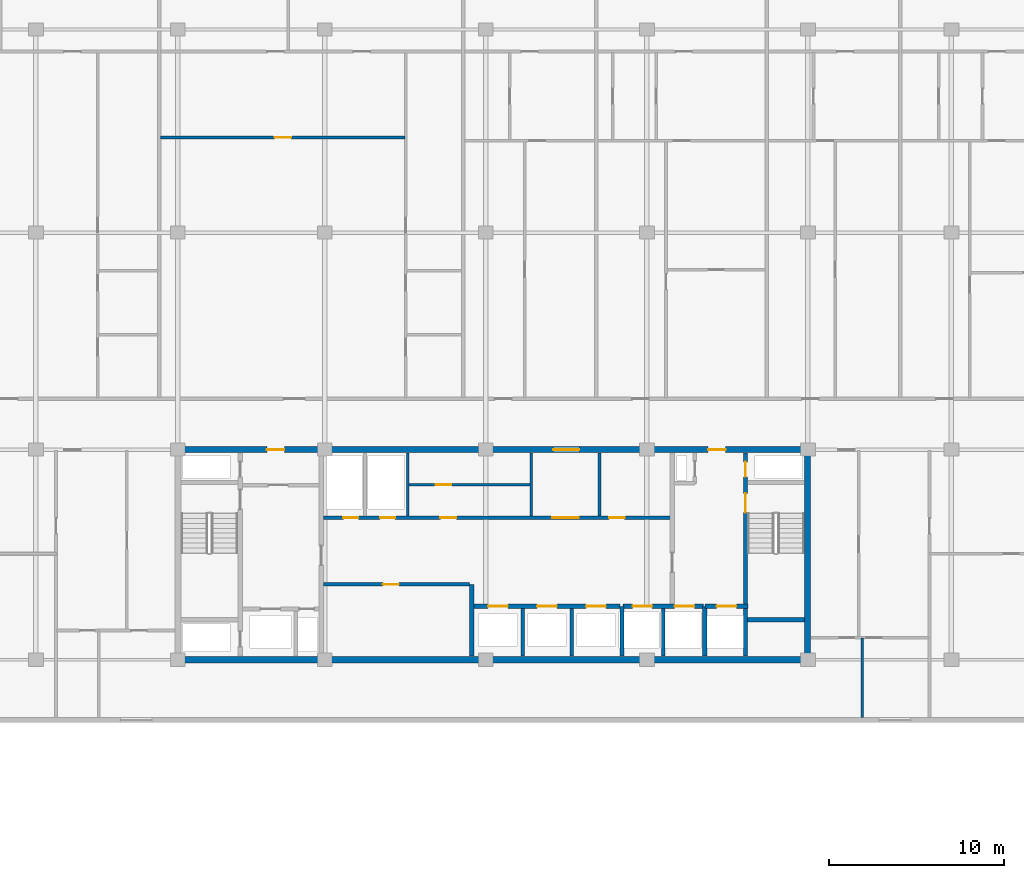
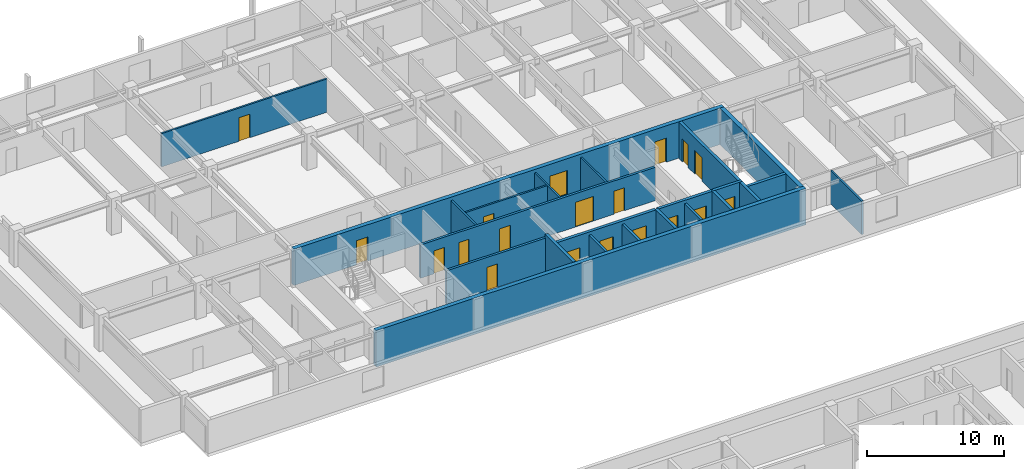
# One storey, part 11 of 21: 22 walls, 19 doors, 19 openings.
"""IFC4 building model written with IfcOpenShell, lengths in metres."""

import ifcopenshell
import ifcopenshell.guid

model = None  # the IFC model being written
_history = None  # IfcOwnerHistory: only IFC2X3 demands one
_inside = {}  # id of a spatial element -> (the spatial element, [elements in it])
_under = {}  # id of a project, library or spatial element -> (it, [spatial elements below it])
_declared = {}  # id of a project -> (the project, [libraries it declares])
_typed = {}  # id of a type object -> (the type object, [elements of that type])
_made_of = {}  # id of a material, layer set ... -> (it, [elements and type objects made of it])


def new_model(schema):
    """Start an empty IFC model of exactly this schema.

    Asked for "IFC4X3", IfcOpenShell would pick the latest addendum, in which some entities
    have other attributes; the version numbers below select the first issue.
    IFC2X3 requires an IfcOwnerHistory on every rooted entity: one is made here for all.
    """
    global model, _history
    if schema == "IFC4X3":
        model = ifcopenshell.file(schema_version=(4, 3, 0, 0))
    else:
        model = ifcopenshell.file(schema=schema)
    _inside.clear()
    _under.clear()
    _declared.clear()
    _typed.clear()
    _made_of.clear()
    _history = None
    if model.schema == "IFC2X3":
        org = make("IfcOrganization", Name="unknown")
        user = make(
            "IfcPersonAndOrganization",
            ThePerson=make("IfcPerson", FamilyName="unknown"),
            TheOrganization=org,
        )
        app = make(
            "IfcApplication",
            ApplicationDeveloper=org,
            Version="unknown",
            ApplicationFullName="unknown",
            ApplicationIdentifier="unknown",
        )
        _history = make(
            "IfcOwnerHistory",
            OwningUser=user,
            OwningApplication=app,
            ChangeAction="ADDED",
            CreationDate=0,
        )
    return model


def make(cls, **values):
    """One entity of the class cls with the attributes given. An attribute that is None is left unset."""
    return model.create_entity(
        cls, **{name: value for name, value in values.items() if value is not None}
    )


def rooted(cls, **values):
    """An entity with a GlobalId (a new one), such as an element, a storey or a relation."""
    return make(cls, GlobalId=ifcopenshell.guid.new(), OwnerHistory=_history, **values)


def si_unit(unit_type, name, prefix=None):
    """IfcSIUnit, for example si_unit("LENGTHUNIT", "METRE", prefix="MILLI")."""
    return make("IfcSIUnit", UnitType=unit_type, Prefix=prefix, Name=name)


def assignment(units):
    """IfcUnitAssignment: the units of a project."""
    return None if units is None else make("IfcUnitAssignment", Units=units)


def point(xyz):
    """IfcCartesianPoint."""
    return None if xyz is None else make("IfcCartesianPoint", Coordinates=xyz)


def direction(xyz):
    """IfcDirection."""
    return None if xyz is None else make("IfcDirection", DirectionRatios=xyz)


def frame(location, z_axis=None, x_axis=None):
    """IfcAxis2Placement3D, a coordinate frame: its origin and axes. An axis left out is left unset."""
    return make(
        "IfcAxis2Placement3D",
        Location=point(location),
        Axis=direction(z_axis),
        RefDirection=direction(x_axis),
    )


def frame_2d(location, x_axis=None):
    """IfcAxis2Placement2D, a coordinate frame in the plane: its origin and x axis."""
    return make(
        "IfcAxis2Placement2D", Location=point(location), RefDirection=direction(x_axis)
    )


def origin():
    """The frame at (0, 0, 0) with its axes left unset."""
    return frame((0.0, 0.0, 0.0))


def place(relative_to, where):
    """IfcLocalPlacement: puts the frame where relative to a parent placement (None: the world)."""
    return make(
        "IfcLocalPlacement", PlacementRelTo=relative_to, RelativePlacement=where
    )


def context(
    kind, dimensions, precision=None, world=None, true_north=None, identifier=None
):
    """IfcGeometricRepresentationContext, for example the 3D "Model" context."""
    return make(
        "IfcGeometricRepresentationContext",
        ContextIdentifier=identifier,
        ContextType=kind,
        CoordinateSpaceDimension=dimensions,
        Precision=precision,
        WorldCoordinateSystem=world,
        TrueNorth=true_north,
    )


def subcontext(parent, identifier, kind, view, scale=None):
    """IfcGeometricRepresentationSubContext, for example "Body" below "Model"."""
    return make(
        "IfcGeometricRepresentationSubContext",
        ContextIdentifier=identifier,
        ContextType=kind,
        ParentContext=parent,
        TargetScale=scale,
        TargetView=view,
    )


def project(units=None, contexts=None):
    """IfcProject with its units and contexts."""
    return rooted(
        "IfcProject",
        Name="project",
        RepresentationContexts=contexts,
        UnitsInContext=assignment(units),
    )


def spatial(cls, under=None, at=None, **own):
    """A site, building, storey or space (cls), placed at a placement, below another one or the project."""
    s = rooted(cls, ObjectPlacement=at, **own)
    if under is not None:
        _under.setdefault(under.id(), (under, []))[1].append(s)
    return s


def profile(cls, at=None, kind="AREA", **sizes):
    """A parametric profile (cls). Its sizes go by their IFC names, for example OverallWidth=200.0."""
    return make(cls, ProfileType=kind, Position=at, **sizes)


def rectangle(**sizes):
    """IfcRectangleProfileDef."""
    return profile("IfcRectangleProfileDef", **sizes)


def extrude(swept, where, along, depth):
    """IfcExtrudedAreaSolid: the profile swept, set in the frame where, extruded along a direction by depth."""
    return make(
        "IfcExtrudedAreaSolid",
        SweptArea=swept,
        Position=where,
        ExtrudedDirection=direction(along),
        Depth=depth,
    )


def shape(context_of_items, identifier, shape_type, items):
    """IfcShapeRepresentation: the items that make up one representation, for example the "Body"."""
    return make(
        "IfcShapeRepresentation",
        ContextOfItems=context_of_items,
        RepresentationIdentifier=identifier,
        RepresentationType=shape_type,
        Items=items,
    )


def material(Name=None, Category=None):
    """IfcMaterial."""
    return make("IfcMaterial", Name=Name, Category=Category)


def layer(
    of_material, thickness, ventilated=None, Name=None, Category=None, Priority=None
):
    """IfcMaterialLayer: one layer of a wall or slab, of a material (None: an air gap)."""
    return make(
        "IfcMaterialLayer",
        Material=of_material,
        LayerThickness=thickness,
        IsVentilated=ventilated,
        Name=Name,
        Category=Category,
        Priority=Priority,
    )


def layer_set(layers, Name=None):
    """IfcMaterialLayerSet."""
    return make("IfcMaterialLayerSet", MaterialLayers=layers, LayerSetName=Name)


def made_of(thing, what):
    """Note that an element or type object is made of a material, layer set ...; save() writes the relation."""
    if what is not None:
        _made_of.setdefault(what.id(), (what, []))[1].append(thing)
    return thing


def type_object(cls, material=None, **own):
    """A type object (cls), such as IfcWallType, which elements share."""
    return made_of(rooted(cls, **own), material)


def element(
    cls,
    number,
    at=None,
    inside=None,
    cuts=None,
    type_object=None,
    material=None,
    context=None,
    identifier="Body",
    shape_type=None,
    held_by="IfcProductDefinitionShape",
    body=None,
    shapes=None,
    **own,
):
    """One element of the class cls, such as IfcWall. Its Tag is "e" and its number.

    at: its placement. inside: the storey or other place that contains it. cuts: it is an
    opening in that element (IfcRelVoidsElement). A single representation is given by context,
    identifier, shape_type and body (its items); several are given by shapes. held_by: the class
    of the entity that holds the representations. save() writes the other relations.
    """
    e = rooted(cls, Tag="e%d" % number, ObjectPlacement=at, **own)
    if body is not None:
        shapes = [shape(context, identifier, shape_type, body)]
    if shapes is not None:
        e.Representation = make(held_by, Representations=shapes)
    if inside is not None:
        _inside.setdefault(inside.id(), (inside, []))[1].append(e)
    if cuts is not None:
        rooted(
            "IfcRelVoidsElement", RelatingBuildingElement=cuts, RelatedOpeningElement=e
        )
    if type_object is not None:
        _typed.setdefault(type_object.id(), (type_object, []))[1].append(e)
    return made_of(e, material)


def fill(opening, filler):
    """IfcRelFillsElement: the door or window that sits in an opening."""
    return rooted(
        "IfcRelFillsElement",
        RelatingOpeningElement=opening,
        RelatedBuildingElement=filler,
    )


def aggregate(whole, parts):
    """IfcRelAggregates: a whole, such as a stair, and the parts it consists of."""
    return rooted("IfcRelAggregates", RelatingObject=whole, RelatedObjects=parts)


def save(model, path):
    """Write the relations noted so far, then the file.

    IfcRelAggregates (storeys below a building ...), IfcRelContainedInSpatialStructure (elements
    in a storey), IfcRelDefinesByType, IfcRelAssociatesMaterial and IfcRelDeclares: one each for
    every whole, place, type object, material and project.
    """
    for whole, parts in _under.values():
        aggregate(whole, parts)
    for where, things in _inside.values():
        rooted(
            "IfcRelContainedInSpatialStructure",
            RelatedElements=things,
            RelatingStructure=where,
        )
    for kind, things in _typed.values():
        rooted("IfcRelDefinesByType", RelatedObjects=things, RelatingType=kind)
    for what, things in _made_of.values():
        rooted("IfcRelAssociatesMaterial", RelatedObjects=things, RelatingMaterial=what)
    for by, libraries in _declared.values():
        rooted("IfcRelDeclares", RelatingContext=by, RelatedDefinitions=libraries)
    model.write(path)


model = new_model("IFC4")

# Units and contexts
model_context = context("Model", 3, precision=1e-05, world=origin(), true_north=direction((0.0, 1.0)))
body_context = subcontext(model_context, "Body", "Model", "MODEL_VIEW")
ifc_project = project(units=[si_unit("LENGTHUNIT", "METRE"), si_unit("AREAUNIT", "SQUARE_METRE"), si_unit("VOLUMEUNIT", "CUBIC_METRE"), si_unit("PLANEANGLEUNIT", "RADIAN"), si_unit("MASSUNIT", "GRAM", prefix="KILO")], contexts=[model_context])

# Site, building, storey
site_placement = place(None, origin())
site = spatial("IfcSite", under=ifc_project, at=site_placement, CompositionType="ELEMENT")
building_placement = place(site_placement, origin())
building = spatial("IfcBuilding", under=site, at=building_placement, Name="Korimba Cascade Residences", CompositionType="ELEMENT")
storey_placement = place(building_placement, frame((0.0, 0.0, 175.10009765625)))
storey = spatial("IfcBuildingStorey", under=building, at=storey_placement, Name="L50", CompositionType="ELEMENT", Elevation=175.10009765625)

# Walls
ifc_material_1 = material(Name="Concrete C65/80", Category="concrete")
ifc_layer_1 = layer(ifc_material_1, 0.35009765625)
ifc_layer_set_1 = layer_set([ifc_layer_1], Name="Concrete C65/80")
wall_type_1 = type_object("IfcWallType", Name="WAL-CORE-350", PredefinedType="SHEAR", material=ifc_layer_set_1)
wall_1_placement = place(storey_placement, frame((75.949951171875, 55.199951171875, 0.0), z_axis=(0.0, 0.0, 1.0), x_axis=(1.0, 0.0, 0.0)))
element("IfcWall", 1, at=wall_1_placement, inside=storey, type_object=wall_type_1, Name="L50 Core Shear Wall CW-L50-T1-S", PredefinedType="SHEAR", context=body_context, shape_type="SweptSolid", body=[
    extrude(rectangle(XDim=36.300048828125, YDim=0.35009765625, at=frame_2d((18.14990234375, 0.0))), origin(), (0.0, 0.0, 1.0), 3.25),
])
wall_2_placement = place(storey_placement, frame((112.074951171875, 55.375, 0.0), z_axis=(0.0, 0.0, 1.0), x_axis=(0.0, 1.0, 0.0)))
element("IfcWall", 2, at=wall_2_placement, inside=storey, type_object=wall_type_1, Name="L50 Core Shear Wall CW-L50-T1-E", PredefinedType="SHEAR", context=body_context, shape_type="SweptSolid", body=[
    extrude(rectangle(XDim=11.64990234375, YDim=0.35009765625, at=frame_2d((5.824951171875, 0.0))), origin(), (0.0, 0.0, 1.0), 3.25),
])

# Wall, openings, doors
wall_3_placement = place(storey_placement, frame((75.949951171875, 67.199951171875, 0.0), z_axis=(0.0, 0.0, 1.0), x_axis=(1.0, 0.0, 0.0)))
wall_3 = element("IfcWall", 3, at=wall_3_placement, inside=storey, type_object=wall_type_1, Name="L50 Core Shear Wall CW-L50-T1-N", PredefinedType="SHEAR", context=body_context, shape_type="SweptSolid", body=[
    extrude(rectangle(XDim=36.300048828125, YDim=0.35009765625, at=frame_2d((18.14990234375, 0.0))), origin(), (0.0, 0.0, 1.0), 3.25),
])
opening_1_placement = place(wall_3_placement, frame((5.25, 0.0, 0.0)))
opening_1 = element("IfcOpeningElement", 4, at=opening_1_placement, cuts=wall_3, Name="Opening D-FD5", PredefinedType="OPENING", context=body_context, shape_type="SweptSolid", body=[
    extrude(rectangle(XDim=1.0, YDim=2.14990234375, at=frame_2d((0.5, 1.074951171875))), frame((0.0, 0.18505859375, 0.0), z_axis=(0.0, -1.0, 0.0), x_axis=(1.0, 0.0, 0.0)), (0.0, 0.0, 1.0), 0.3701171875),
])
opening_2_placement = place(wall_3_placement, frame((21.60009765625, 0.0, 0.0)))
opening_2 = element("IfcOpeningElement", 5, at=opening_2_placement, cuts=wall_3, Name="Opening D-FD8", PredefinedType="OPENING", context=body_context, shape_type="SweptSolid", body=[
    extrude(rectangle(XDim=1.5, YDim=2.199951171875, at=frame_2d((0.75, 1.10009765625))), frame((0.0, 0.18505859375, 0.0), z_axis=(0.0, -1.0, 0.0), x_axis=(1.0, 0.0, 0.0)), (0.0, 0.0, 1.0), 0.3701171875),
])
opening_3_placement = place(wall_3_placement, frame((30.449951171875, 0.0, 0.0)))
opening_3 = element("IfcOpeningElement", 6, at=opening_3_placement, cuts=wall_3, Name="Opening D-FD5", PredefinedType="OPENING", context=body_context, shape_type="SweptSolid", body=[
    extrude(rectangle(XDim=1.0, YDim=2.14990234375, at=frame_2d((0.5, 1.074951171875))), frame((0.0, 0.18505859375, 0.0), z_axis=(0.0, -1.0, 0.0), x_axis=(1.0, 0.0, 0.0)), (0.0, 0.0, 1.0), 0.3701171875),
])
ifc_material_2 = material(Name="Fire-Rated Acoustic Timber Vestibule Door", Category="wood")
door_type_1 = type_object("IfcDoorType", Name="DR-FD90-1000", OperationType="NOTDEFINED", PredefinedType="DOOR", material=ifc_material_2)
door_1_placement = place(opening_1_placement, origin())
door_1 = element("IfcDoor", 7, at=door_1_placement, inside=storey, type_object=door_type_1, Name="L50 T1 West Core Vestibule Fire Door", OperationType="SINGLE_SWING_LEFT", OverallHeight=2.14990234375, OverallWidth=1.0, PredefinedType="DOOR", context=body_context, shape_type="SweptSolid", body=[
    extrude(rectangle(XDim=1.0, YDim=2.14990234375, at=frame_2d((0.5, 1.074951171875))), frame((0.0, 0.02490234375, 0.0), z_axis=(0.0, -1.0, 0.0), x_axis=(1.0, 0.0, 0.0)), (0.0, 0.0, 1.0), 0.050048828125),
])
fill(opening_1, door_1)
door_2_placement = place(opening_3_placement, origin())
door_2 = element("IfcDoor", 8, at=door_2_placement, inside=storey, type_object=door_type_1, Name="L50 T1 East Firefighting Vestibule Fire Door", OperationType="SINGLE_SWING_RIGHT", OverallHeight=2.14990234375, OverallWidth=1.0, PredefinedType="DOOR", context=body_context, shape_type="SweptSolid", body=[
    extrude(rectangle(XDim=1.0, YDim=2.14990234375, at=frame_2d((0.5, 1.074951171875))), frame((0.0, 0.02490234375, 0.0), z_axis=(0.0, -1.0, 0.0), x_axis=(1.0, 0.0, 0.0)), (0.0, 0.0, 1.0), 0.050048828125),
])
fill(opening_3, door_2)
ifc_material_3 = material(Name="Fire-Rated Glazed Lift Lobby Double Door", Category="glass")
door_type_2 = type_object("IfcDoorType", Name="DR-FD90-1500", OperationType="NOTDEFINED", PredefinedType="DOOR", material=ifc_material_3)
door_3_placement = place(opening_2_placement, origin())
door_3 = element("IfcDoor", 9, at=door_3_placement, inside=storey, type_object=door_type_2, Name="L50 T1 Lift Lobby Fire Door", OperationType="DOUBLE_DOOR_SINGLE_SWING", OverallHeight=2.199951171875, OverallWidth=1.5, PredefinedType="DOOR", context=body_context, shape_type="SweptSolid", body=[
    extrude(rectangle(XDim=1.5, YDim=2.199951171875, at=frame_2d((0.75, 1.10009765625))), frame((0.0, 0.02490234375, 0.0), z_axis=(0.0, -1.0, 0.0), x_axis=(1.0, 0.0, 0.0)), (0.0, 0.0, 1.0), 0.050048828125),
])
fill(opening_2, door_3)

# Wall
ifc_material_4 = material(Name="Insulated Acoustic Stud Partition", Category="gypsum")
ifc_layer_2 = layer(ifc_material_4, 0.14990234375)
ifc_layer_set_2 = layer_set([ifc_layer_2], Name="Insulated Acoustic Stud Partition")
wall_type_2 = type_object("IfcWallType", Name="WAL-PART-150", PredefinedType="PARTITIONING", material=ifc_layer_set_2)
wall_4_placement = place(storey_placement, frame((89.25, 63.39990234375, 0.0), z_axis=(0.0, 0.0, 1.0), x_axis=(0.0, 1.0, 0.0)))
element("IfcWall", 10, at=wall_4_placement, inside=storey, type_object=wall_type_2, Name="L50 Partition Wall CW-L50-T1-PRDIV", PredefinedType="PARTITIONING", context=body_context, shape_type="SweptSolid", body=[
    extrude(rectangle(XDim=3.60009765625, YDim=0.14990234375, at=frame_2d((1.800048828125, 0.0))), origin(), (0.0, 0.0, 1.0), 2.969970703125),
])

# Wall, opening, door
wall_5_placement = place(storey_placement, frame((89.25, 65.199951171875, 0.0), z_axis=(0.0, 0.0, 1.0), x_axis=(1.0, 0.0, 0.0)))
wall_5 = element("IfcWall", 11, at=wall_5_placement, inside=storey, type_object=wall_type_2, Name="L50 Partition Wall CW-L50-T1-CA2HZ", PredefinedType="PARTITIONING", context=body_context, shape_type="SweptSolid", body=[
    extrude(rectangle(XDim=7.050048828125, YDim=0.14990234375, at=frame_2d((3.52490234375, 0.0))), origin(), (0.0, 0.0, 1.0), 2.969970703125),
])
opening_4_placement = place(wall_5_placement, frame((1.60009765625, 0.0, 0.0)))
opening_4 = element("IfcOpeningElement", 12, at=opening_4_placement, cuts=wall_5, Name="Opening D-IN2", PredefinedType="OPENING", context=body_context, shape_type="SweptSolid", body=[
    extrude(rectangle(XDim=0.8798828125, YDim=2.06005859375, at=frame_2d((0.43994140625, 1.030029296875))), frame((0.0, 0.0849609375, 0.0), z_axis=(0.0, -1.0, 0.0), x_axis=(1.0, 0.0, 0.0)), (0.0, 0.0, 1.0), 0.169921875),
])
ifc_material_5 = material(Name="Acoustic Timber Bedroom Door", Category="wood")
door_type_3 = type_object("IfcDoorType", Name="DR-INT-880", OperationType="NOTDEFINED", PredefinedType="DOOR", material=ifc_material_5)
door_4_placement = place(opening_4_placement, origin())
door_4 = element("IfcDoor", 13, at=door_4_placement, inside=storey, type_object=door_type_3, Name="L50 Pram Store Door", OperationType="SINGLE_SWING_RIGHT", OverallHeight=2.06005859375, OverallWidth=0.8798828125, PredefinedType="DOOR", context=body_context, shape_type="SweptSolid", body=[
    extrude(rectangle(XDim=0.8798828125, YDim=2.06005859375, at=frame_2d((0.43994140625, 1.030029296875))), frame((0.0, 0.02490234375, 0.0), z_axis=(0.0, -1.0, 0.0), x_axis=(1.0, 0.0, 0.0)), (0.0, 0.0, 1.0), 0.050048828125),
])
fill(opening_4, door_4)

# Walls
for number, where, z_axis, x_axis, name in (
    (14, (96.300048828125, 63.39990234375, 0.0), (0.0, 0.0, 1.0), (0.0, 1.0, 0.0), "L50 Partition Wall CW-L50-T1-THW"),
    (15, (100.199951171875, 63.39990234375, 0.0), (0.0, 0.0, 1.0), (0.0, 1.0, 0.0), "L50 Partition Wall CW-L50-T1-THE"),
):
    element("IfcWall", number, at=place(storey_placement, frame(where, z_axis=z_axis, x_axis=x_axis)), inside=storey, type_object=wall_type_2, Name=name, PredefinedType="PARTITIONING", context=body_context, shape_type="SweptSolid", body=[
        extrude(rectangle(XDim=3.60009765625, YDim=0.14990234375, at=frame_2d((1.800048828125, 0.0))), origin(), (0.0, 0.0, 1.0), 2.969970703125),
    ])
wall_6_placement = place(storey_placement, frame((115.199951171875, 51.89990234375, 0.0), z_axis=(0.0, 0.0, 1.0), x_axis=(0.0, 1.0, 0.0)))
element("IfcWall", 16, at=wall_6_placement, inside=storey, type_object=wall_type_2, Name="L50 Partition Wall WAL-L50-T1-FE-VS", PredefinedType="PARTITIONING", context=body_context, shape_type="SweptSolid", body=[
    extrude(rectangle(XDim=4.550048828125, YDim=0.14990234375, at=frame_2d((2.27490234375, 0.0))), origin(), (0.0, 0.0, 1.0), 2.969970703125),
])

# Wall, opening, door
wall_7_placement = place(storey_placement, frame((75.121337890625, 85.030029296875, 0.0), z_axis=(0.0, 0.0, 1.0), x_axis=(1.0, 0.0, 0.0)))
wall_7 = element("IfcWall", 17, at=wall_7_placement, inside=storey, type_object=wall_type_2, Name="L50 Partition Wall WAL-L50-T1-U02-CARH", PredefinedType="PARTITIONING", context=body_context, shape_type="SweptSolid", body=[
    extrude(rectangle(XDim=13.973388671875, YDim=0.14990234375, at=frame_2d((6.98681640625, 0.0))), origin(), (0.0, 0.0, 1.0), 2.969970703125),
])
opening_5_placement = place(wall_7_placement, frame((6.5166015625, 0.0, 0.0)))
opening_5 = element("IfcOpeningElement", 18, at=opening_5_placement, cuts=wall_7, Name="Opening D-IN0", PredefinedType="OPENING", context=body_context, shape_type="SweptSolid", body=[
    extrude(rectangle(XDim=0.93994140625, YDim=2.10009765625, at=frame_2d((0.469970703125, 1.050048828125))), frame((0.0, 0.0849609375, 0.0), z_axis=(0.0, -1.0, 0.0), x_axis=(1.0, 0.0, 0.0)), (0.0, 0.0, 1.0), 0.169921875),
])
ifc_material_6 = material(Name="Acoustic Timber Living Archway Door", Category="wood")
door_type_4 = type_object("IfcDoorType", Name="DR-INT-950", OperationType="NOTDEFINED", PredefinedType="DOOR", material=ifc_material_6)
door_5_placement = place(opening_5_placement, origin())
door_5 = element("IfcDoor", 19, at=door_5_placement, inside=storey, type_object=door_type_4, Name="L50-T1-U02 Wellness Clinic Foyer Door", OperationType="SINGLE_SWING_RIGHT", OverallHeight=2.10009765625, OverallWidth=0.93994140625, PredefinedType="DOOR", context=body_context, shape_type="SweptSolid", body=[
    extrude(rectangle(XDim=0.93994140625, YDim=2.10009765625, at=frame_2d((0.469970703125, 1.050048828125))), frame((0.0, 0.02490234375, 0.0), z_axis=(0.0, -1.0, 0.0), x_axis=(1.0, 0.0, 0.0)), (0.0, 0.0, 1.0), 0.050048828125),
])
fill(opening_5, door_5)

ifc_material_7 = material(Name="Concrete C40/50", Category="concrete")
ifc_layer_3 = layer(ifc_material_7, 0.199951171875)
ifc_layer_set_3 = layer_set([ifc_layer_3], Name="Concrete C40/50")
wall_type_3 = type_object("IfcWallType", Name="WAL-PART-200", PredefinedType="PARTITIONING", material=ifc_layer_set_3)
wall_8_placement = place(storey_placement, frame((84.419921875, 59.5, 0.0), z_axis=(0.0, 0.0, 1.0), x_axis=(1.0, 0.0, 0.0)))
wall_8 = element("IfcWall", 20, at=wall_8_placement, inside=storey, type_object=wall_type_3, Name="L50 Partition Wall CW-L50-T1-B1RN", PredefinedType="PARTITIONING", context=body_context, shape_type="SweptSolid", body=[
    extrude(rectangle(XDim=8.360107421875, YDim=0.199951171875, at=frame_2d((4.18017578125, 0.0))), origin(), (0.0, 0.0, 1.0), 2.969970703125),
])
opening_6_placement = place(wall_8_placement, frame((3.39990234375, 0.0, 0.0)))
opening_6 = element("IfcOpeningElement", 21, at=opening_6_placement, cuts=wall_8, Name="Opening D-ST1", PredefinedType="OPENING", context=body_context, shape_type="SweptSolid", body=[
    extrude(rectangle(XDim=0.919921875, YDim=2.080078125, at=frame_2d((0.4599609375, 1.0400390625))), frame((0.0, 0.10986328125, 0.0), z_axis=(0.0, -1.0, 0.0), x_axis=(1.0, 0.0, 0.0)), (0.0, 0.0, 1.0), 0.219970703125),
])
ifc_material_8 = material(Name="Fire-Rated Core Store Door", Category="wood")
door_type_5 = type_object("IfcDoorType", Name="DR-FD60-920", OperationType="NOTDEFINED", PredefinedType="DOOR", material=ifc_material_8)
door_6_placement = place(opening_6_placement, origin())
door_6 = element("IfcDoor", 22, at=door_6_placement, inside=storey, type_object=door_type_5, Name="L50 Resident Storage Door", OperationType="SINGLE_SWING_LEFT", OverallHeight=2.080078125, OverallWidth=0.919921875, PredefinedType="DOOR", context=body_context, shape_type="SweptSolid", body=[
    extrude(rectangle(XDim=0.919921875, YDim=2.080078125, at=frame_2d((0.4599609375, 1.0400390625))), frame((0.0, 0.02490234375, 0.0), z_axis=(0.0, -1.0, 0.0), x_axis=(1.0, 0.0, 0.0)), (0.0, 0.0, 1.0), 0.050048828125),
])
fill(opening_6, door_6)

# Walls
for number, where, z_axis, x_axis, name in (
    (23, (95.800048828125, 55.39990234375, 0.0), (0.0, 0.0, 1.0), (0.0, 1.0, 0.0), "L50 Partition Wall CW-L50-T1-B2D1"),
    (24, (98.60009765625, 55.39990234375, 0.0), (0.0, 0.0, 1.0), (0.0, 1.0, 0.0), "L50 Partition Wall CW-L50-T1-B2D2"),
    (25, (103.85009765625, 55.39990234375, 0.0), (0.0, 0.0, 1.0), (0.0, 1.0, 0.0), "L50 Partition Wall CW-L50-T1-B3D1"),
):
    element("IfcWall", number, at=place(storey_placement, frame(where, z_axis=z_axis, x_axis=x_axis)), inside=storey, type_object=wall_type_3, Name=name, PredefinedType="PARTITIONING", context=body_context, shape_type="SweptSolid", body=[
        extrude(rectangle(XDim=2.72021484375, YDim=0.199951171875, at=frame_2d((1.360107421875, 0.0))), origin(), (0.0, 0.0, 1.0), 2.969970703125),
    ])

# Wall, openings, doors
wall_9_placement = place(storey_placement, frame((84.419921875, 63.300048828125, 0.0), z_axis=(0.0, 0.0, 1.0), x_axis=(1.0, 0.0, 0.0)))
wall_9 = element("IfcWall", 26, at=wall_9_placement, inside=storey, type_object=wall_type_3, Name="L50 Partition Wall CW-L50-T1-SRVROW", PredefinedType="PARTITIONING", context=body_context, shape_type="SweptSolid", body=[
    extrude(rectangle(XDim=19.830078125, YDim=0.199951171875, at=frame_2d((9.9150390625, 0.0))), origin(), (0.0, 0.0, 1.0), 2.969970703125),
])
opening_7_placement = place(wall_9_placement, frame((1.14990234375, 0.0, 0.0)))
opening_7 = element("IfcOpeningElement", 27, at=opening_7_placement, cuts=wall_9, Name="Opening D-RS1", PredefinedType="OPENING", context=body_context, shape_type="SweptSolid", body=[
    extrude(rectangle(XDim=0.85009765625, YDim=2.050048828125, at=frame_2d((0.425048828125, 1.02490234375))), frame((0.0, 0.10986328125, 0.0), z_axis=(0.0, -1.0, 0.0), x_axis=(1.0, 0.0, 0.0)), (0.0, 0.0, 1.0), 0.219970703125),
])
opening_8_placement = place(wall_9_placement, frame((3.25, 0.0, 0.0)))
opening_8 = element("IfcOpeningElement", 28, at=opening_8_placement, cuts=wall_9, Name="Opening D-RS1", PredefinedType="OPENING", context=body_context, shape_type="SweptSolid", body=[
    extrude(rectangle(XDim=0.85009765625, YDim=2.050048828125, at=frame_2d((0.425048828125, 1.02490234375))), frame((0.0, 0.10986328125, 0.0), z_axis=(0.0, -1.0, 0.0), x_axis=(1.0, 0.0, 0.0)), (0.0, 0.0, 1.0), 0.219970703125),
])
opening_9_placement = place(wall_9_placement, frame((13.080078125, 0.0, 0.0)))
opening_9 = element("IfcOpeningElement", 29, at=opening_9_placement, cuts=wall_9, Name="Opening D-FD8", PredefinedType="OPENING", context=body_context, shape_type="SweptSolid", body=[
    extrude(rectangle(XDim=1.5, YDim=2.199951171875, at=frame_2d((0.75, 1.10009765625))), frame((0.0, 0.10986328125, 0.0), z_axis=(0.0, -1.0, 0.0), x_axis=(1.0, 0.0, 0.0)), (0.0, 0.0, 1.0), 0.219970703125),
])
opening_10_placement = place(wall_9_placement, frame((6.679931640625, 0.0, 0.0)))
opening_10 = element("IfcOpeningElement", 30, at=opening_10_placement, cuts=wall_9, Name="Opening D-IN1", PredefinedType="OPENING", context=body_context, shape_type="SweptSolid", body=[
    extrude(rectangle(XDim=0.919921875, YDim=2.080078125, at=frame_2d((0.4599609375, 1.0400390625))), frame((0.0, 0.10986328125, 0.0), z_axis=(0.0, -1.0, 0.0), x_axis=(1.0, 0.0, 0.0)), (0.0, 0.0, 1.0), 0.219970703125),
])
opening_11_placement = place(wall_9_placement, frame((16.330078125, 0.0, 0.0)))
opening_11 = element("IfcOpeningElement", 31, at=opening_11_placement, cuts=wall_9, Name="Opening D-IN2", PredefinedType="OPENING", context=body_context, shape_type="SweptSolid", body=[
    extrude(rectangle(XDim=0.8798828125, YDim=2.06005859375, at=frame_2d((0.43994140625, 1.030029296875))), frame((0.0, 0.10986328125, 0.0), z_axis=(0.0, -1.0, 0.0), x_axis=(1.0, 0.0, 0.0)), (0.0, 0.0, 1.0), 0.219970703125),
])
ifc_material_9 = material(Name="Fire-Rated Steel Riser Access Door", Category="steel")
door_type_6 = type_object("IfcDoorType", Name="DR-FD60-850", OperationType="NOTDEFINED", PredefinedType="DOOR", material=ifc_material_9)
door_7_placement = place(opening_7_placement, origin())
door_7 = element("IfcDoor", 32, at=door_7_placement, inside=storey, type_object=door_type_6, Name="L50 Electrical Riser Door", OperationType="SINGLE_SWING_LEFT", OverallHeight=2.050048828125, OverallWidth=0.85009765625, PredefinedType="DOOR", context=body_context, shape_type="SweptSolid", body=[
    extrude(rectangle(XDim=0.85009765625, YDim=2.050048828125, at=frame_2d((0.425048828125, 1.02490234375))), frame((0.0, 0.02490234375, 0.0), z_axis=(0.0, -1.0, 0.0), x_axis=(1.0, 0.0, 0.0)), (0.0, 0.0, 1.0), 0.050048828125),
])
fill(opening_7, door_7)
door_8_placement = place(opening_8_placement, origin())
door_8 = element("IfcDoor", 33, at=door_8_placement, inside=storey, type_object=door_type_6, Name="L50 Plumbing Riser Door", OperationType="SINGLE_SWING_RIGHT", OverallHeight=2.050048828125, OverallWidth=0.85009765625, PredefinedType="DOOR", context=body_context, shape_type="SweptSolid", body=[
    extrude(rectangle(XDim=0.85009765625, YDim=2.050048828125, at=frame_2d((0.425048828125, 1.02490234375))), frame((0.0, 0.02490234375, 0.0), z_axis=(0.0, -1.0, 0.0), x_axis=(1.0, 0.0, 0.0)), (0.0, 0.0, 1.0), 0.050048828125),
])
fill(opening_8, door_8)
door_9_placement = place(opening_9_placement, origin())
door_9 = element("IfcDoor", 34, at=door_9_placement, inside=storey, type_object=door_type_2, Name="L50 Lift Lobby Foyer Archway Door", OperationType="DOUBLE_DOOR_SINGLE_SWING", OverallHeight=2.199951171875, OverallWidth=1.5, PredefinedType="DOOR", context=body_context, shape_type="SweptSolid", body=[
    extrude(rectangle(XDim=1.5, YDim=2.199951171875, at=frame_2d((0.75, 1.10009765625))), frame((0.0, 0.02490234375, 0.0), z_axis=(0.0, -1.0, 0.0), x_axis=(1.0, 0.0, 0.0)), (0.0, 0.0, 1.0), 0.050048828125),
])
fill(opening_9, door_9)
door_10_placement = place(opening_11_placement, origin())
door_10 = element("IfcDoor", 35, at=door_10_placement, inside=storey, type_object=door_type_3, Name="L50 Staff WC Door", OperationType="SINGLE_SWING_RIGHT", OverallHeight=2.06005859375, OverallWidth=0.8798828125, PredefinedType="DOOR", context=body_context, shape_type="SweptSolid", body=[
    extrude(rectangle(XDim=0.8798828125, YDim=2.06005859375, at=frame_2d((0.43994140625, 1.030029296875))), frame((0.0, 0.02490234375, 0.0), z_axis=(0.0, -1.0, 0.0), x_axis=(1.0, 0.0, 0.0)), (0.0, 0.0, 1.0), 0.050048828125),
])
fill(opening_11, door_10)
ifc_material_10 = material(Name="Acoustic Timber Living Door", Category="wood")
door_type_7 = type_object("IfcDoorType", Name="DR-INT-920", OperationType="NOTDEFINED", PredefinedType="DOOR", material=ifc_material_10)
door_11_placement = place(opening_10_placement, origin())
door_11 = element("IfcDoor", 36, at=door_11_placement, inside=storey, type_object=door_type_7, Name="L50 Locker Room Door", OperationType="SINGLE_SWING_LEFT", OverallHeight=2.080078125, OverallWidth=0.919921875, PredefinedType="DOOR", context=body_context, shape_type="SweptSolid", body=[
    extrude(rectangle(XDim=0.919921875, YDim=2.080078125, at=frame_2d((0.4599609375, 1.0400390625))), frame((0.0, 0.02490234375, 0.0), z_axis=(0.0, -1.0, 0.0), x_axis=(1.0, 0.0, 0.0)), (0.0, 0.0, 1.0), 0.050048828125),
])
fill(opening_10, door_11)

# Wall
ifc_material_11 = material(Name="Concrete C50/60", Category="concrete")
ifc_layer_4 = layer(ifc_material_11, 0.25)
ifc_layer_set_4 = layer_set([ifc_layer_4], Name="Concrete C50/60")
wall_type_4 = type_object("IfcWallType", Name="WAL-SHAFT-250", PredefinedType="SHEAR", material=ifc_layer_set_4)
wall_10_placement = place(storey_placement, frame((92.89990234375, 55.39990234375, 0.0), z_axis=(0.0, 0.0, 1.0), x_axis=(0.0, 1.0, 0.0)))
element("IfcWall", 37, at=wall_10_placement, inside=storey, type_object=wall_type_4, Name="L50 Core Shear Wall CW-L50-T1-B12DIV", PredefinedType="SHEAR", context=body_context, shape_type="SweptSolid", body=[
    extrude(rectangle(XDim=4.10009765625, YDim=0.25, at=frame_2d((2.050048828125, 0.0))), origin(), (0.0, 0.0, 1.0), 3.25),
])

# Wall, openings, doors
wall_11_placement = place(storey_placement, frame((93.02001953125, 58.25, 0.0), z_axis=(0.0, 0.0, 1.0), x_axis=(1.0, 0.0, 0.0)))
wall_11 = element("IfcWall", 38, at=wall_11_placement, inside=storey, type_object=wall_type_4, Name="L50 Core Shear Wall CW-L50-T1-B2N", PredefinedType="SHEAR", context=body_context, shape_type="SweptSolid", body=[
    extrude(rectangle(XDim=8.35986328125, YDim=0.25, at=frame_2d((4.179931640625, 0.0))), origin(), (0.0, 0.0, 1.0), 3.25),
])
opening_12_placement = place(wall_11_placement, frame((0.820068359375, 0.0, 0.0)))
opening_12 = element("IfcOpeningElement", 39, at=opening_12_placement, cuts=wall_11, Name="Opening LD-01", PredefinedType="OPENING", context=body_context, shape_type="SweptSolid", body=[
    extrude(rectangle(XDim=1.1201171875, YDim=2.1201171875, at=frame_2d((0.56005859375, 1.06005859375))), frame((0.0, 0.135009765625, 0.0), z_axis=(0.0, -1.0, 0.0), x_axis=(1.0, 0.0, 0.0)), (0.0, 0.0, 1.0), 0.27001953125),
])
opening_13_placement = place(wall_11_placement, frame((3.6201171875, 0.0, 0.0)))
opening_13 = element("IfcOpeningElement", 40, at=opening_13_placement, cuts=wall_11, Name="Opening LD-01", PredefinedType="OPENING", context=body_context, shape_type="SweptSolid", body=[
    extrude(rectangle(XDim=1.1201171875, YDim=2.1201171875, at=frame_2d((0.56005859375, 1.06005859375))), frame((0.0, 0.135009765625, 0.0), z_axis=(0.0, -1.0, 0.0), x_axis=(1.0, 0.0, 0.0)), (0.0, 0.0, 1.0), 0.27001953125),
])
opening_14_placement = place(wall_11_placement, frame((6.419921875, 0.0, 0.0)))
opening_14 = element("IfcOpeningElement", 41, at=opening_14_placement, cuts=wall_11, Name="Opening LD-01", PredefinedType="OPENING", context=body_context, shape_type="SweptSolid", body=[
    extrude(rectangle(XDim=1.1201171875, YDim=2.1201171875, at=frame_2d((0.56005859375, 1.06005859375))), frame((0.0, 0.135009765625, 0.0), z_axis=(0.0, -1.0, 0.0), x_axis=(1.0, 0.0, 0.0)), (0.0, 0.0, 1.0), 0.27001953125),
])
ifc_material_12 = material(Name="Stainless Steel Lift Landing Sliding Door", Category="steel")
door_type_8 = type_object("IfcDoorType", Name="DR-LIFT-1100", OperationType="NOTDEFINED", PredefinedType="DOOR", material=ifc_material_12)
door_12_placement = place(opening_12_placement, origin())
door_12 = element("IfcDoor", 42, at=door_12_placement, inside=storey, type_object=door_type_8, Name="L50 Lift Landing Door PL-W4", OperationType="SLIDING_TO_RIGHT", OverallHeight=2.1201171875, OverallWidth=1.1201171875, PredefinedType="DOOR", context=body_context, shape_type="SweptSolid", body=[
    extrude(rectangle(XDim=1.1201171875, YDim=2.1201171875, at=frame_2d((0.56005859375, 1.06005859375))), frame((0.0, 0.02490234375, 0.0), z_axis=(0.0, -1.0, 0.0), x_axis=(1.0, 0.0, 0.0)), (0.0, 0.0, 1.0), 0.050048828125),
])
fill(opening_12, door_12)
door_13_placement = place(opening_13_placement, origin())
door_13 = element("IfcDoor", 43, at=door_13_placement, inside=storey, type_object=door_type_8, Name="L50 Lift Landing Door PL-W5", OperationType="SLIDING_TO_RIGHT", OverallHeight=2.1201171875, OverallWidth=1.1201171875, PredefinedType="DOOR", context=body_context, shape_type="SweptSolid", body=[
    extrude(rectangle(XDim=1.1201171875, YDim=2.1201171875, at=frame_2d((0.56005859375, 1.06005859375))), frame((0.0, 0.02490234375, 0.0), z_axis=(0.0, -1.0, 0.0), x_axis=(1.0, 0.0, 0.0)), (0.0, 0.0, 1.0), 0.050048828125),
])
fill(opening_13, door_13)
door_14_placement = place(opening_14_placement, origin())
door_14 = element("IfcDoor", 44, at=door_14_placement, inside=storey, type_object=door_type_8, Name="L50 Lift Landing Door PL-W6", OperationType="SLIDING_TO_RIGHT", OverallHeight=2.1201171875, OverallWidth=1.1201171875, PredefinedType="DOOR", context=body_context, shape_type="SweptSolid", body=[
    extrude(rectangle(XDim=1.1201171875, YDim=2.1201171875, at=frame_2d((0.56005859375, 1.06005859375))), frame((0.0, 0.02490234375, 0.0), z_axis=(0.0, -1.0, 0.0), x_axis=(1.0, 0.0, 0.0)), (0.0, 0.0, 1.0), 0.050048828125),
])
fill(opening_14, door_14)

# Wall
wall_12_placement = place(storey_placement, frame((101.47998046875, 55.39990234375, 0.0), z_axis=(0.0, 0.0, 1.0), x_axis=(0.0, 1.0, 0.0)))
element("IfcWall", 45, at=wall_12_placement, inside=storey, type_object=wall_type_4, Name="L50 Core Shear Wall CW-L50-T1-B23DIV", PredefinedType="SHEAR", context=body_context, shape_type="SweptSolid", body=[
    extrude(rectangle(XDim=2.85009765625, YDim=0.25, at=frame_2d((1.425048828125, 0.0))), origin(), (0.0, 0.0, 1.0), 3.25),
])

# Wall, openings, doors
wall_13_placement = place(storey_placement, frame((101.550048828125, 58.25, 0.0), z_axis=(0.0, 0.0, 1.0), x_axis=(1.0, 0.0, 0.0)))
wall_13 = element("IfcWall", 46, at=wall_13_placement, inside=storey, type_object=wall_type_4, Name="L50 Core Shear Wall CW-L50-T1-B3N", PredefinedType="SHEAR", context=body_context, shape_type="SweptSolid", body=[
    extrude(rectangle(XDim=4.599853515625, YDim=0.25, at=frame_2d((2.2998046875, 0.0))), origin(), (0.0, 0.0, 1.0), 3.25),
])
opening_15_placement = place(wall_13_placement, frame((0.5400390625, 0.0, 0.0)))
opening_15 = element("IfcOpeningElement", 47, at=opening_15_placement, cuts=wall_13, Name="Opening LD-01", PredefinedType="OPENING", context=body_context, shape_type="SweptSolid", body=[
    extrude(rectangle(XDim=1.1201171875, YDim=2.1201171875, at=frame_2d((0.56005859375, 1.06005859375))), frame((0.0, 0.135009765625, 0.0), z_axis=(0.0, -1.0, 0.0), x_axis=(1.0, 0.0, 0.0)), (0.0, 0.0, 1.0), 0.27001953125),
])
opening_16_placement = place(wall_13_placement, frame((2.93994140625, 0.0, 0.0)))
opening_16 = element("IfcOpeningElement", 48, at=opening_16_placement, cuts=wall_13, Name="Opening LD-01", PredefinedType="OPENING", context=body_context, shape_type="SweptSolid", body=[
    extrude(rectangle(XDim=1.1201171875, YDim=2.1201171875, at=frame_2d((0.56005859375, 1.06005859375))), frame((0.0, 0.135009765625, 0.0), z_axis=(0.0, -1.0, 0.0), x_axis=(1.0, 0.0, 0.0)), (0.0, 0.0, 1.0), 0.27001953125),
])
door_15_placement = place(opening_15_placement, origin())
door_15 = element("IfcDoor", 49, at=door_15_placement, inside=storey, type_object=door_type_8, Name="L50 Lift Landing Door PL-W7", OperationType="SLIDING_TO_LEFT", OverallHeight=2.1201171875, OverallWidth=1.1201171875, PredefinedType="DOOR", context=body_context, shape_type="SweptSolid", body=[
    extrude(rectangle(XDim=1.1201171875, YDim=2.1201171875, at=frame_2d((0.56005859375, 1.06005859375))), frame((0.0, 0.02490234375, 0.0), z_axis=(0.0, -1.0, 0.0), x_axis=(1.0, 0.0, 0.0)), (0.0, 0.0, 1.0), 0.050048828125),
])
fill(opening_15, door_15)
door_16_placement = place(opening_16_placement, origin())
door_16 = element("IfcDoor", 50, at=door_16_placement, inside=storey, type_object=door_type_8, Name="L50 Lift Landing Door PL-W8", OperationType="SLIDING_TO_LEFT", OverallHeight=2.1201171875, OverallWidth=1.1201171875, PredefinedType="DOOR", context=body_context, shape_type="SweptSolid", body=[
    extrude(rectangle(XDim=1.1201171875, YDim=2.1201171875, at=frame_2d((0.56005859375, 1.06005859375))), frame((0.0, 0.02490234375, 0.0), z_axis=(0.0, -1.0, 0.0), x_axis=(1.0, 0.0, 0.0)), (0.0, 0.0, 1.0), 0.050048828125),
])
fill(opening_16, door_16)

# Wall
wall_14_placement = place(storey_placement, frame((106.219970703125, 55.39990234375, 0.0), z_axis=(0.0, 0.0, 1.0), x_axis=(0.0, 1.0, 0.0)))
element("IfcWall", 51, at=wall_14_placement, inside=storey, type_object=wall_type_4, Name="L50 Core Shear Wall CW-L50-T1-FF2W", PredefinedType="SHEAR", context=body_context, shape_type="SweptSolid", body=[
    extrude(rectangle(XDim=2.85009765625, YDim=0.25, at=frame_2d((1.425048828125, 0.0))), origin(), (0.0, 0.0, 1.0), 3.25),
])

# Wall, opening, door
wall_15_placement = place(storey_placement, frame((106.219970703125, 58.25, 0.0), z_axis=(0.0, 0.0, 1.0), x_axis=(1.0, 0.0, 0.0)))
wall_15 = element("IfcWall", 52, at=wall_15_placement, inside=storey, type_object=wall_type_4, Name="L50 Core Shear Wall CW-L50-T1-FF2N", PredefinedType="SHEAR", context=body_context, shape_type="SweptSolid", body=[
    extrude(rectangle(XDim=2.4599609375, YDim=0.25, at=frame_2d((1.22998046875, 0.0))), origin(), (0.0, 0.0, 1.0), 3.25),
])
opening_17_placement = place(wall_15_placement, frame((0.669921875, 0.0, 0.0)))
opening_17 = element("IfcOpeningElement", 53, at=opening_17_placement, cuts=wall_15, Name="Opening LD-01", PredefinedType="OPENING", context=body_context, shape_type="SweptSolid", body=[
    extrude(rectangle(XDim=1.1201171875, YDim=2.1201171875, at=frame_2d((0.56005859375, 1.06005859375))), frame((0.0, 0.135009765625, 0.0), z_axis=(0.0, -1.0, 0.0), x_axis=(1.0, 0.0, 0.0)), (0.0, 0.0, 1.0), 0.27001953125),
])
door_17_placement = place(opening_17_placement, origin())
door_17 = element("IfcDoor", 54, at=door_17_placement, inside=storey, type_object=door_type_8, Name="L50 Firefighting Lift Landing Door FFL-W2", OperationType="SLIDING_TO_RIGHT", OverallHeight=2.1201171875, OverallWidth=1.1201171875, PredefinedType="DOOR", context=body_context, shape_type="SweptSolid", body=[
    extrude(rectangle(XDim=1.1201171875, YDim=2.1201171875, at=frame_2d((0.56005859375, 1.06005859375))), frame((0.0, 0.02490234375, 0.0), z_axis=(0.0, -1.0, 0.0), x_axis=(1.0, 0.0, 0.0)), (0.0, 0.0, 1.0), 0.050048828125),
])
fill(opening_17, door_17)

# Wall, openings, doors
wall_16_placement = place(storey_placement, frame((108.534912109375, 55.39990234375, 0.0), z_axis=(0.0, 0.0, 1.0), x_axis=(0.0, 1.0, 0.0)))
wall_16 = element("IfcWall", 55, at=wall_16_placement, inside=storey, type_object=wall_type_4, Name="L50 Core Shear Wall CW-L50-T1-STW2W", PredefinedType="SHEAR", context=body_context, shape_type="SweptSolid", body=[
    extrude(rectangle(XDim=11.60009765625, YDim=0.25, at=frame_2d((5.800048828125, 0.0))), origin(), (0.0, 0.0, 1.0), 3.25),
])
opening_18_placement = place(wall_16_placement, frame((8.199951171875, 0.0, 0.0)))
opening_18 = element("IfcOpeningElement", 56, at=opening_18_placement, cuts=wall_16, Name="Opening D-FD1", PredefinedType="OPENING", context=body_context, shape_type="SweptSolid", body=[
    extrude(rectangle(XDim=1.10009765625, YDim=2.10009765625, at=frame_2d((0.550048828125, 1.050048828125))), frame((0.0, 0.135009765625, 0.0), z_axis=(0.0, -1.0, 0.0), x_axis=(1.0, 0.0, 0.0)), (0.0, 0.0, 1.0), 0.27001953125),
])
opening_19_placement = place(wall_16_placement, frame((10.25, 0.0, 0.0)))
opening_19 = element("IfcOpeningElement", 57, at=opening_19_placement, cuts=wall_16, Name="Opening D-RS1", PredefinedType="OPENING", context=body_context, shape_type="SweptSolid", body=[
    extrude(rectangle(XDim=0.85009765625, YDim=2.050048828125, at=frame_2d((0.425048828125, 1.02490234375))), frame((0.0, 0.135009765625, 0.0), z_axis=(0.0, -1.0, 0.0), x_axis=(1.0, 0.0, 0.0)), (0.0, 0.0, 1.0), 0.27001953125),
])
ifc_material_13 = material(Name="Fire-Rated Steel Core Door", Category="steel")
door_type_9 = type_object("IfcDoorType", Name="DR-FD120-1100", OperationType="NOTDEFINED", PredefinedType="DOOR", material=ifc_material_13)
door_18_placement = place(opening_18_placement, origin())
door_18 = element("IfcDoor", 58, at=door_18_placement, inside=storey, type_object=door_type_9, Name="L50 Fire Stair ST-W2 Door", OperationType="SINGLE_SWING_LEFT", OverallHeight=2.10009765625, OverallWidth=1.10009765625, PredefinedType="DOOR", context=body_context, shape_type="SweptSolid", body=[
    extrude(rectangle(XDim=1.10009765625, YDim=2.10009765625, at=frame_2d((0.550048828125, 1.050048828125))), frame((0.0, 0.02490234375, 0.0), z_axis=(0.0, -1.0, 0.0), x_axis=(1.0, 0.0, 0.0)), (0.0, 0.0, 1.0), 0.050048828125),
])
fill(opening_18, door_18)
door_19_placement = place(opening_19_placement, origin())
door_19 = element("IfcDoor", 59, at=door_19_placement, inside=storey, type_object=door_type_6, Name="L50 East Riser Door", OperationType="SINGLE_SWING_RIGHT", OverallHeight=2.050048828125, OverallWidth=0.85009765625, PredefinedType="DOOR", context=body_context, shape_type="SweptSolid", body=[
    extrude(rectangle(XDim=0.85009765625, YDim=2.050048828125, at=frame_2d((0.425048828125, 1.02490234375))), frame((0.0, 0.02490234375, 0.0), z_axis=(0.0, -1.0, 0.0), x_axis=(1.0, 0.0, 0.0)), (0.0, 0.0, 1.0), 0.050048828125),
])
fill(opening_19, door_19)

# Wall
wall_17_placement = place(storey_placement, frame((108.659912109375, 57.47509765625, 0.0), z_axis=(0.0, 0.0, 1.0), x_axis=(1.0, 0.0, 0.0)))
element("IfcWall", 60, at=wall_17_placement, inside=storey, type_object=wall_type_4, Name="L50 Core Shear Wall CW-L50-T1-STW2S", PredefinedType="SHEAR", context=body_context, shape_type="SweptSolid", body=[
    extrude(rectangle(XDim=3.239990234375, YDim=0.25, at=frame_2d((1.6201171875, 0.0))), origin(), (0.0, 0.0, 1.0), 3.25),
])

save(model, "model.ifc")
